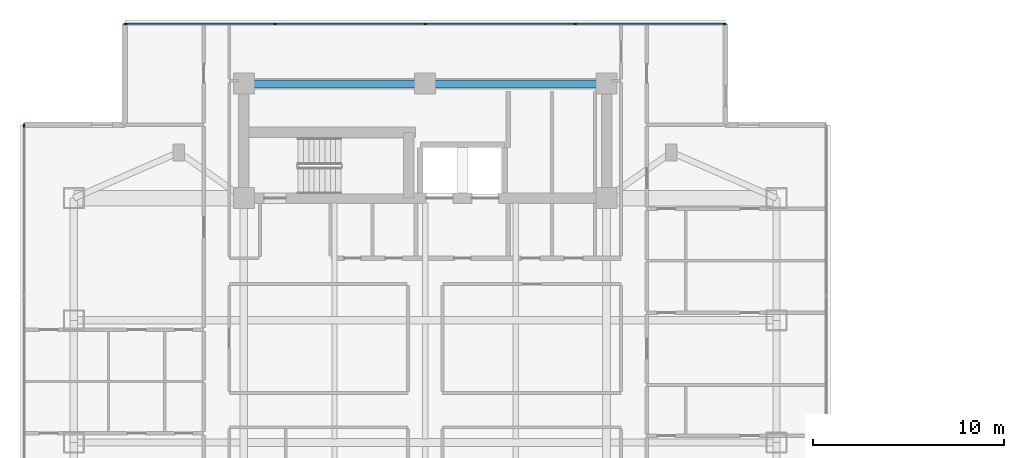
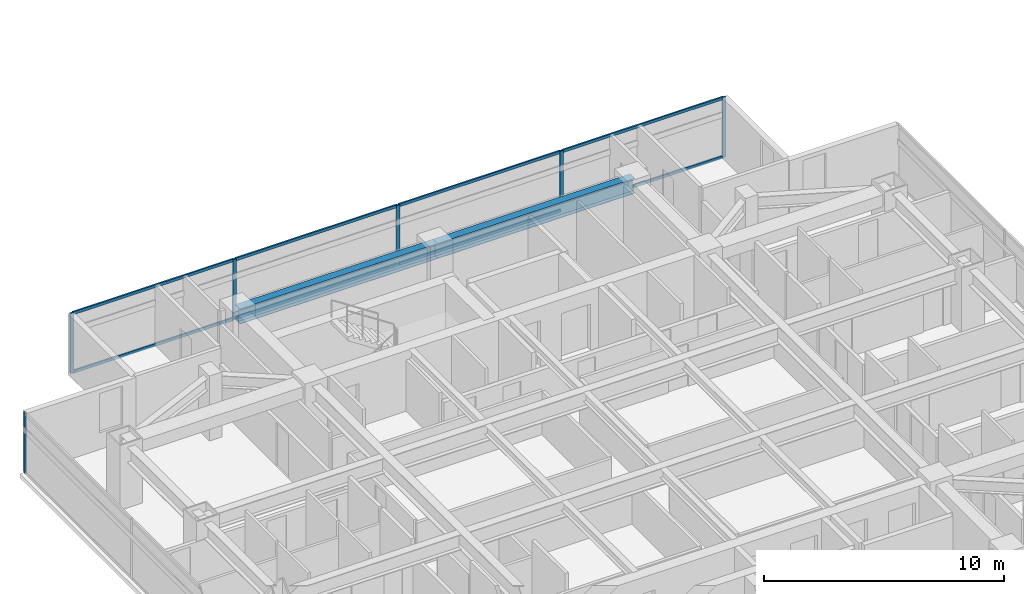
# One storey, part 7 of 25: 14 members, 2 beams, 2 elements without a shape of their own.
"""IFC4 building model written with IfcOpenShell, lengths in metres."""

from ifc_helpers import new_model, si_unit, direction, frame, origin, origin_2d, place, context, subcontext, project, spatial, rectangle, i_section, extrude, material, material_profile, profile_set, type_object, element, aggregate, save


model = new_model("IFC4")

# Units and contexts
model_context = context("Model", 3, precision=1e-05, world=origin(), true_north=direction((0.0, 1.0)))
body_context = subcontext(model_context, "Body", "Model", "MODEL_VIEW")
ifc_project = project(units=[si_unit("LENGTHUNIT", "METRE"), si_unit("AREAUNIT", "SQUARE_METRE"), si_unit("VOLUMEUNIT", "CUBIC_METRE"), si_unit("PLANEANGLEUNIT", "RADIAN"), si_unit("MASSUNIT", "GRAM", prefix="KILO")], contexts=[model_context])

# Site, building, storey
site_placement = place(None, origin())
site = spatial("IfcSite", under=ifc_project, at=site_placement, CompositionType="ELEMENT")
building_placement = place(site_placement, origin())
building = spatial("IfcBuilding", under=site, at=building_placement, Name="Mirazonda Arch Towers", CompositionType="ELEMENT")
storey_placement = place(building_placement, frame((0.0, 0.0, 131.300048828125)))
storey = spatial("IfcBuildingStorey", under=building, at=storey_placement, Name="L37", CompositionType="ELEMENT", Elevation=131.300048828125)

# Beams
ifc_material_1 = material(Name="Steel ASTM A992 Grade 50", Category="steel")
ifc_material_profile_1 = material_profile(ifc_material_1, i_section(OverallWidth=0.381103515625, OverallDepth=0.77294921875, WebThickness=0.0166015625, FlangeThickness=0.027099609375, at=origin_2d()), Name="W30X173")
ifc_profile_set_1 = profile_set([ifc_material_profile_1], Name="Steel ASTM A992 Grade 50")
beam_type = type_object("IfcBeamType", Name="BM-INT-W30X173", PredefinedType="USERDEFINED", material=ifc_profile_set_1)
for number, where, z_axis, x_axis, name in (
    (1, (11.0, 43.60009765625, 2.693359375), (1.0, 0.0, 0.0), (0.0, 1.0, 0.0), "L37 Floor Beam BM-T1-L37-CN1"),
    (2, (20.5, 43.60009765625, 2.693359375), (1.0, 0.0, 0.0), (0.0, 1.0, 0.0), "L37 Floor Beam BM-T1-L37-CN2"),
):
    element("IfcBeam", number, at=place(storey_placement, frame(where, z_axis=z_axis, x_axis=x_axis)), inside=storey, type_object=beam_type, Name=name, ObjectType="GIRDER", PredefinedType="USERDEFINED", context=body_context, shape_type="SweptSolid", body=[
        extrude(i_section(OverallWidth=0.381103515625, OverallDepth=0.77294921875, WebThickness=0.0166015625, FlangeThickness=0.027099609375, at=origin_2d()), origin(), (0.0, 0.0, 1.0), 9.5),
    ])

# Curtain wall, members
ifc_material_2 = material(Name="Anodised Aluminium and Low-E Glass", Category="aluminium")
curtain_wall_type = type_object("IfcCurtainWallType", Name="CW-HTL-UNIT", PredefinedType="NOTDEFINED", material=ifc_material_2)
curtain_wall_1_placement = place(storey_placement, origin())
curtain_wall_1 = element("IfcCurtainWall", 3, at=curtain_wall_1_placement, inside=storey, type_object=curtain_wall_type, Name="L37 T1 N Facade CW-L37-T1-N", PredefinedType="NOTDEFINED")
ifc_material_3 = material(Name="Anodised Aluminium Alloy", Category="aluminium")
ifc_material_profile_2 = material_profile(ifc_material_3, rectangle(XDim=0.074951171875, YDim=0.1650390625, at=origin_2d()), Name="ALU-MULL-75x165")
ifc_profile_set_2 = profile_set([ifc_material_profile_2], Name="Anodised Aluminium Alloy")
member_type_1 = type_object("IfcMemberType", Name="MULL-CW-HTL-UNIT", PredefinedType="MULLION", material=ifc_profile_set_2)
member_1_placement = place(storey_placement, frame((4.8076171875, 46.7119140625, 0.0), z_axis=(0.0, 0.0, 1.0), x_axis=(0.0, 1.0, 0.0)))
member_1 = element("IfcMember", 4, at=member_1_placement, type_object=member_type_1, Name="CW-112 mullion 1", PredefinedType="MULLION", context=body_context, shape_type="SweptSolid", body=[
    extrude(rectangle(XDim=0.074951171875, YDim=0.1650390625, at=origin_2d()), origin(), (0.0, 0.0, 1.0), 3.06005859375),
])
member_2_placement = place(storey_placement, frame((12.635009765625, 46.7119140625, 0.0), z_axis=(0.0, 0.0, 1.0), x_axis=(0.0, 1.0, 0.0)))
member_2 = element("IfcMember", 5, at=member_2_placement, type_object=member_type_1, Name="CW-112 mullion 2", PredefinedType="MULLION", context=body_context, shape_type="SweptSolid", body=[
    extrude(rectangle(XDim=0.074951171875, YDim=0.1650390625, at=origin_2d()), origin(), (0.0, 0.0, 1.0), 3.06005859375),
])
member_3_placement = place(storey_placement, frame((20.5, 46.7119140625, 0.0), z_axis=(0.0, 0.0, 1.0), x_axis=(0.0, 1.0, 0.0)))
member_3 = element("IfcMember", 6, at=member_3_placement, type_object=member_type_1, Name="CW-112 mullion 3", PredefinedType="MULLION", context=body_context, shape_type="SweptSolid", body=[
    extrude(rectangle(XDim=0.074951171875, YDim=0.1650390625, at=origin_2d()), origin(), (0.0, 0.0, 1.0), 3.06005859375),
])
member_4_placement = place(storey_placement, frame((28.364990234375, 46.7119140625, 0.0), z_axis=(0.0, 0.0, 1.0), x_axis=(0.0, 1.0, 0.0)))
member_4 = element("IfcMember", 7, at=member_4_placement, type_object=member_type_1, Name="CW-112 mullion 4", PredefinedType="MULLION", context=body_context, shape_type="SweptSolid", body=[
    extrude(rectangle(XDim=0.074951171875, YDim=0.1650390625, at=origin_2d()), origin(), (0.0, 0.0, 1.0), 3.06005859375),
])
member_5_placement = place(storey_placement, frame((36.1923828125, 46.7119140625, 0.0), z_axis=(0.0, 0.0, 1.0), x_axis=(0.0, 1.0, 0.0)))
member_5 = element("IfcMember", 8, at=member_5_placement, type_object=member_type_1, Name="CW-112 mullion 5", PredefinedType="MULLION", context=body_context, shape_type="SweptSolid", body=[
    extrude(rectangle(XDim=0.074951171875, YDim=0.1650390625, at=origin_2d()), origin(), (0.0, 0.0, 1.0), 3.06005859375),
])

# Curtain wall, member
curtain_wall_2_placement = place(storey_placement, origin())
curtain_wall_2 = element("IfcCurtainWall", 9, at=curtain_wall_2_placement, inside=storey, type_object=curtain_wall_type, Name="L37 T1 W Facade CW-L37-T1-W", PredefinedType="NOTDEFINED")
member_6_placement = place(storey_placement, frame((-0.5, 41.404541015625, 0.0), z_axis=(0.0, 0.0, 1.0), x_axis=(1.0, 0.0, 0.0)))
member_6 = element("IfcMember", 10, at=member_6_placement, type_object=member_type_1, Name="CW-112 mullion 1", PredefinedType="MULLION", context=body_context, shape_type="SweptSolid", body=[
    extrude(rectangle(XDim=0.074951171875, YDim=0.1650390625, at=origin_2d()), origin(), (0.0, 0.0, 1.0), 3.06005859375),
])
aggregate(curtain_wall_2, [member_6])

# Member
ifc_material_profile_3 = material_profile(ifc_material_3, rectangle(XDim=0.074951171875, YDim=0.14501953125, at=origin_2d()), Name="ALU-TRAN-75x145")
ifc_profile_set_3 = profile_set([ifc_material_profile_3], Name="Anodised Aluminium Alloy")
member_type_2 = type_object("IfcMemberType", Name="TRAN-CW-HTL-UNIT", PredefinedType="USERDEFINED", material=ifc_profile_set_3)
member_7_placement = place(storey_placement, frame((4.844970703125, 46.7119140625, 0.037353515625), z_axis=(1.0, 0.0, 0.0), x_axis=(0.0, 1.0, 0.0)))
member_7 = element("IfcMember", 11, at=member_7_placement, type_object=member_type_2, Name="CW-112 transom 1.1", ObjectType="TRANSOM", PredefinedType="USERDEFINED", context=body_context, shape_type="SweptSolid", body=[
    extrude(rectangle(XDim=0.074951171875, YDim=0.14501953125, at=origin_2d()), origin(), (0.0, 0.0, 1.0), 7.75244140625),
])

member_8_placement = place(storey_placement, frame((4.844970703125, 46.7119140625, 3.0224609375), z_axis=(1.0, 0.0, 0.0), x_axis=(0.0, 1.0, 0.0)))
member_8 = element("IfcMember", 12, at=member_8_placement, type_object=member_type_2, Name="CW-112 transom 1.2", ObjectType="TRANSOM", PredefinedType="USERDEFINED", context=body_context, shape_type="SweptSolid", body=[
    extrude(rectangle(XDim=0.074951171875, YDim=0.14501953125, at=origin_2d()), origin(), (0.0, 0.0, 1.0), 7.75244140625),
])

member_9_placement = place(storey_placement, frame((12.672607421875, 46.7119140625, 0.037353515625), z_axis=(1.0, 0.0, 0.0), x_axis=(0.0, 1.0, 0.0)))
member_9 = element("IfcMember", 13, at=member_9_placement, type_object=member_type_2, Name="CW-112 transom 2.1", ObjectType="TRANSOM", PredefinedType="USERDEFINED", context=body_context, shape_type="SweptSolid", body=[
    extrude(rectangle(XDim=0.074951171875, YDim=0.14501953125, at=origin_2d()), origin(), (0.0, 0.0, 1.0), 7.789794921875),
])

member_10_placement = place(storey_placement, frame((12.672607421875, 46.7119140625, 3.0224609375), z_axis=(1.0, 0.0, 0.0), x_axis=(0.0, 1.0, 0.0)))
member_10 = element("IfcMember", 14, at=member_10_placement, type_object=member_type_2, Name="CW-112 transom 2.2", ObjectType="TRANSOM", PredefinedType="USERDEFINED", context=body_context, shape_type="SweptSolid", body=[
    extrude(rectangle(XDim=0.074951171875, YDim=0.14501953125, at=origin_2d()), origin(), (0.0, 0.0, 1.0), 7.789794921875),
])

member_11_placement = place(storey_placement, frame((20.53759765625, 46.7119140625, 0.037353515625), z_axis=(1.0, 0.0, 0.0), x_axis=(0.0, 1.0, 0.0)))
member_11 = element("IfcMember", 15, at=member_11_placement, type_object=member_type_2, Name="CW-112 transom 3.1", ObjectType="TRANSOM", PredefinedType="USERDEFINED", context=body_context, shape_type="SweptSolid", body=[
    extrude(rectangle(XDim=0.074951171875, YDim=0.14501953125, at=origin_2d()), origin(), (0.0, 0.0, 1.0), 7.789794921875),
])

member_12_placement = place(storey_placement, frame((20.53759765625, 46.7119140625, 3.0224609375), z_axis=(1.0, 0.0, 0.0), x_axis=(0.0, 1.0, 0.0)))
member_12 = element("IfcMember", 16, at=member_12_placement, type_object=member_type_2, Name="CW-112 transom 3.2", ObjectType="TRANSOM", PredefinedType="USERDEFINED", context=body_context, shape_type="SweptSolid", body=[
    extrude(rectangle(XDim=0.074951171875, YDim=0.14501953125, at=origin_2d()), origin(), (0.0, 0.0, 1.0), 7.789794921875),
])

member_13_placement = place(storey_placement, frame((28.402587890625, 46.7119140625, 0.037353515625), z_axis=(1.0, 0.0, 0.0), x_axis=(0.0, 1.0, 0.0)))
member_13 = element("IfcMember", 17, at=member_13_placement, type_object=member_type_2, Name="CW-112 transom 4.1", ObjectType="TRANSOM", PredefinedType="USERDEFINED", context=body_context, shape_type="SweptSolid", body=[
    extrude(rectangle(XDim=0.074951171875, YDim=0.14501953125, at=origin_2d()), origin(), (0.0, 0.0, 1.0), 7.75244140625),
])

member_14_placement = place(storey_placement, frame((28.402587890625, 46.7119140625, 3.0224609375), z_axis=(1.0, 0.0, 0.0), x_axis=(0.0, 1.0, 0.0)))
member_14 = element("IfcMember", 18, at=member_14_placement, type_object=member_type_2, Name="CW-112 transom 4.2", ObjectType="TRANSOM", PredefinedType="USERDEFINED", context=body_context, shape_type="SweptSolid", body=[
    extrude(rectangle(XDim=0.074951171875, YDim=0.14501953125, at=origin_2d()), origin(), (0.0, 0.0, 1.0), 7.75244140625),
])

aggregate(curtain_wall_1, [member_1, member_2, member_3, member_4, member_5, member_7, member_8, member_9, member_10, member_11, member_12, member_13, member_14])

save(model, "model.ifc")
